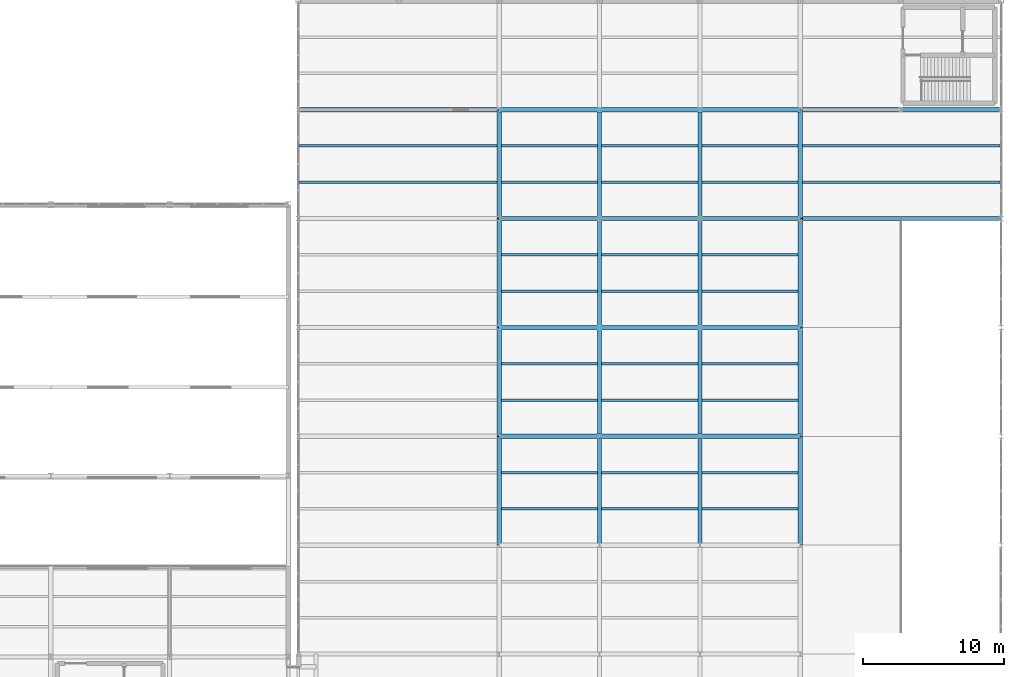
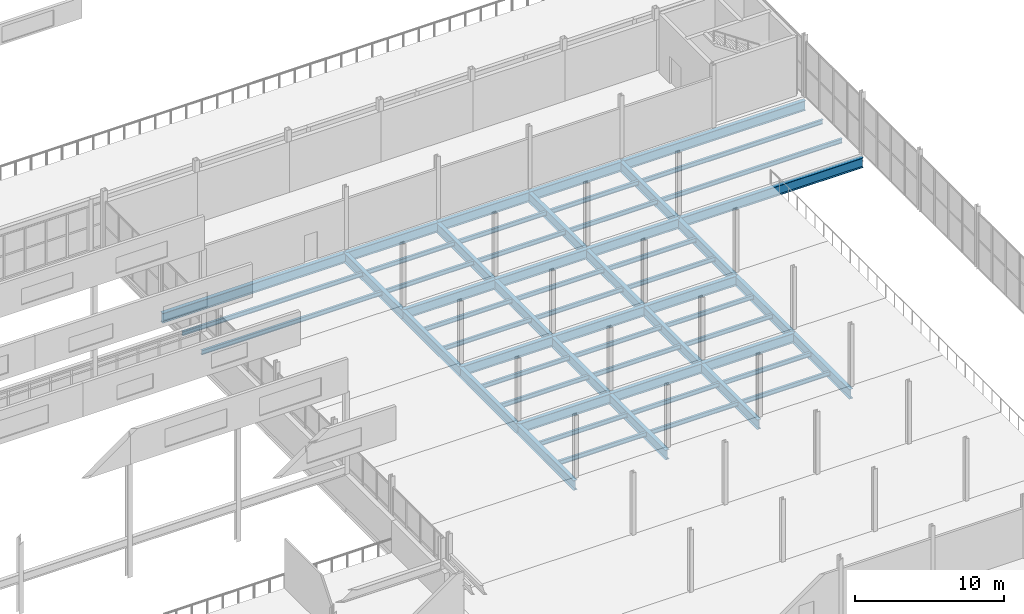
# One storey, part 132 of 218: 59 beams.
"""IFC4 building model written with IfcOpenShell, lengths in metres."""

from ifc_helpers import new_model, si_unit, direction, frame, origin, origin_2d, place, context, subcontext, project, spatial, i_section, extrude, material, material_profile, profile_set, type_object, element, save


model = new_model("IFC4")

# Units and contexts
model_context = context("Model", 3, precision=1e-05, world=origin(), true_north=direction((0.0, 1.0)))
body_context = subcontext(model_context, "Body", "Model", "MODEL_VIEW")
ifc_project = project(units=[si_unit("LENGTHUNIT", "METRE"), si_unit("AREAUNIT", "SQUARE_METRE"), si_unit("VOLUMEUNIT", "CUBIC_METRE"), si_unit("PLANEANGLEUNIT", "RADIAN"), si_unit("MASSUNIT", "GRAM", prefix="KILO")], contexts=[model_context])

# Site, building, storey
site_placement = place(None, origin())
site = spatial("IfcSite", under=ifc_project, at=site_placement, CompositionType="ELEMENT")
building_placement = place(site_placement, origin())
building = spatial("IfcBuilding", under=site, at=building_placement, Name="Kazenagashi Tramway Depot", CompositionType="ELEMENT")
storey_placement = place(building_placement, frame((0.0, 0.0, 6.0)))
storey = spatial("IfcBuildingStorey", under=building, at=storey_placement, Name="L02", CompositionType="ELEMENT", Elevation=6.0)

# Beams
ifc_material_1 = material(Name="Steel SN490B", Category="steel")
ifc_material_profile_1 = material_profile(ifc_material_1, i_section(OverallWidth=0.3, OverallDepth=0.8, WebThickness=0.014, FlangeThickness=0.026, at=origin_2d()), Name="H-800x300x14x26")
ifc_profile_set_1 = profile_set([ifc_material_profile_1], Name="Steel SN490B")
beam_type_1 = type_object("IfcBeamType", Name="G-07", PredefinedType="BEAM", material=ifc_profile_set_1)
for number, where, z_axis, x_axis, name in (
    (1, (160.5, 38.5, -0.68), (1.0, 0.0, 0.0), (0.0, 1.0, 0.0), "Beam G-07 BM-1208"),
    (2, (167.6, 38.5, -0.68), (1.0, 0.0, 0.0), (0.0, 1.0, 0.0), "Beam G-07 BM-1209"),
    (3, (174.7, 38.5, -0.68), (1.0, 0.0, 0.0), (0.0, 1.0, 0.0), "Beam G-07 BM-1210"),
    (4, (160.5, 46.2, -0.68), (1.0, 0.0, 0.0), (0.0, 1.0, 0.0), "Beam G-07 BM-1212"),
    (5, (167.6, 46.2, -0.68), (1.0, 0.0, 0.0), (0.0, 1.0, 0.0), "Beam G-07 BM-1213"),
    (6, (174.7, 46.2, -0.68), (1.0, 0.0, 0.0), (0.0, 1.0, 0.0), "Beam G-07 BM-1214"),
    (7, (160.5, 53.9, -0.68), (1.0, 0.0, 0.0), (0.0, 1.0, 0.0), "Beam G-07 BM-1216"),
    (8, (167.6, 53.9, -0.68), (1.0, 0.0, 0.0), (0.0, 1.0, 0.0), "Beam G-07 BM-1217"),
    (9, (174.7, 53.9, -0.68), (1.0, 0.0, 0.0), (0.0, 1.0, 0.0), "Beam G-07 BM-1218"),
):
    element("IfcBeam", number, at=place(storey_placement, frame(where, z_axis=z_axis, x_axis=x_axis)), inside=storey, type_object=beam_type_1, Name=name, PredefinedType="BEAM", context=body_context, shape_type="SweptSolid", body=[
        extrude(i_section(OverallWidth=0.3, OverallDepth=0.8, WebThickness=0.014, FlangeThickness=0.026, at=origin_2d()), origin(), (0.0, 0.0, 1.0), 7.1),
    ])
for number, where, z_axis, x_axis, name in (
    (10, (181.8, 53.9, -0.68), (1.0, 0.0, 0.0), (0.0, 1.0, 0.0), "Beam G-07 BM-1219"),
    (11, (146.3, 61.6, -0.68), (1.0, 0.0, 0.0), (0.0, 1.0, 0.0), "Beam G-07 BM-1220"),
):
    element("IfcBeam", number, at=place(storey_placement, frame(where, z_axis=z_axis, x_axis=x_axis)), inside=storey, type_object=beam_type_1, Name=name, PredefinedType="BEAM", context=body_context, shape_type="SweptSolid", body=[
        extrude(i_section(OverallWidth=0.3, OverallDepth=0.8, WebThickness=0.014, FlangeThickness=0.026, at=origin_2d()), origin(), (0.0, 0.0, 1.0), 14.2),
    ])
for number, where, z_axis, x_axis, name in (
    (12, (160.5, 61.6, -0.68), (1.0, 0.0, 0.0), (0.0, 1.0, 0.0), "Beam G-07 BM-1221"),
    (13, (167.6, 61.6, -0.68), (1.0, 0.0, 0.0), (0.0, 1.0, 0.0), "Beam G-07 BM-1222"),
    (14, (174.7, 61.6, -0.68), (1.0, 0.0, 0.0), (0.0, 1.0, 0.0), "Beam G-07 BM-1223"),
):
    element("IfcBeam", number, at=place(storey_placement, frame(where, z_axis=z_axis, x_axis=x_axis)), inside=storey, type_object=beam_type_1, Name=name, PredefinedType="BEAM", context=body_context, shape_type="SweptSolid", body=[
        extrude(i_section(OverallWidth=0.3, OverallDepth=0.8, WebThickness=0.014, FlangeThickness=0.026, at=origin_2d()), origin(), (0.0, 0.0, 1.0), 7.1),
    ])
beam_placement = place(storey_placement, frame((181.8, 61.6, -0.68), z_axis=(1.0, 0.0, 0.0), x_axis=(0.0, 1.0, 0.0)))
element("IfcBeam", 15, at=beam_placement, inside=storey, type_object=beam_type_1, Name="Beam G-07 BM-1224", PredefinedType="BEAM", context=body_context, shape_type="SweptSolid", body=[
    extrude(i_section(OverallWidth=0.3, OverallDepth=0.8, WebThickness=0.014, FlangeThickness=0.026, at=origin_2d()), origin(), (0.0, 0.0, 1.0), 14.2),
])
for number, where, z_axis, x_axis, name in (
    (16, (160.5, 30.8, -0.68), (0.0, 1.0, 0.0), (-1.0, 0.0, 0.0), "Beam G-07 BM-1268"),
    (17, (160.5, 38.5, -0.68), (0.0, 1.0, 0.0), (-1.0, 0.0, 0.0), "Beam G-07 BM-1271"),
    (18, (160.5, 46.2, -0.68), (0.0, 1.0, 0.0), (-1.0, 0.0, 0.0), "Beam G-07 BM-1274"),
    (19, (160.5, 53.9, -0.68), (0.0, 1.0, 0.0), (-1.0, 0.0, 0.0), "Beam G-07 BM-1277"),
    (20, (167.6, 30.8, -0.68), (0.0, 1.0, 0.0), (-1.0, 0.0, 0.0), "Beam G-07 BM-1295"),
    (21, (167.6, 38.5, -0.68), (0.0, 1.0, 0.0), (-1.0, 0.0, 0.0), "Beam G-07 BM-1298"),
    (22, (167.6, 46.2, -0.68), (0.0, 1.0, 0.0), (-1.0, 0.0, 0.0), "Beam G-07 BM-1301"),
    (23, (167.6, 53.9, -0.68), (0.0, 1.0, 0.0), (-1.0, 0.0, 0.0), "Beam G-07 BM-1304"),
    (24, (174.7, 30.8, -0.68), (0.0, 1.0, 0.0), (-1.0, 0.0, 0.0), "Beam G-07 BM-1322"),
    (25, (174.7, 38.5, -0.68), (0.0, 1.0, 0.0), (-1.0, 0.0, 0.0), "Beam G-07 BM-1325"),
    (26, (174.7, 46.2, -0.68), (0.0, 1.0, 0.0), (-1.0, 0.0, 0.0), "Beam G-07 BM-1328"),
    (27, (174.7, 53.9, -0.68), (0.0, 1.0, 0.0), (-1.0, 0.0, 0.0), "Beam G-07 BM-1331"),
    (28, (181.8, 30.8, -0.68), (0.0, 1.0, 0.0), (-1.0, 0.0, 0.0), "Beam G-07 BM-1343"),
    (29, (181.8, 38.5, -0.68), (0.0, 1.0, 0.0), (-1.0, 0.0, 0.0), "Beam G-07 BM-1344"),
    (30, (181.8, 46.2, -0.68), (0.0, 1.0, 0.0), (-1.0, 0.0, 0.0), "Beam G-07 BM-1345"),
    (31, (181.8, 53.9, -0.68), (0.0, 1.0, 0.0), (-1.0, 0.0, 0.0), "Beam G-07 BM-1346"),
):
    element("IfcBeam", number, at=place(storey_placement, frame(where, z_axis=z_axis, x_axis=x_axis)), inside=storey, type_object=beam_type_1, Name=name, PredefinedType="BEAM", context=body_context, shape_type="SweptSolid", body=[
        extrude(i_section(OverallWidth=0.3, OverallDepth=0.8, WebThickness=0.014, FlangeThickness=0.026, at=origin_2d()), origin(), (0.0, 0.0, 1.0), 7.7),
    ])
ifc_material_2 = material(Name="Steel SN400B", Category="steel")
ifc_material_profile_2 = material_profile(ifc_material_2, i_section(OverallWidth=0.175, OverallDepth=0.35, WebThickness=0.007, FlangeThickness=0.011, at=origin_2d()), Name="H-350x175x7x11")
ifc_profile_set_2 = profile_set([ifc_material_profile_2], Name="Steel SN400B")
beam_type_2 = type_object("IfcBeamType", Name="J-01", PredefinedType="JOIST", material=ifc_profile_set_2)
for number, where, z_axis, x_axis, name in (
    (32, (146.4, 56.467, -0.455), (1.0, 0.0, 0.0), (0.0, 1.0, 0.0), "Beam J-01 BM-1251"),
    (33, (146.4, 59.033, -0.455), (1.0, 0.0, 0.0), (0.0, 1.0, 0.0), "Beam J-01 BM-1252"),
):
    element("IfcBeam", number, at=place(storey_placement, frame(where, z_axis=z_axis, x_axis=x_axis)), inside=storey, type_object=beam_type_2, Name=name, PredefinedType="JOIST", context=body_context, shape_type="SweptSolid", body=[
        extrude(i_section(OverallWidth=0.175, OverallDepth=0.35, WebThickness=0.007, FlangeThickness=0.011, at=origin_2d()), origin(), (0.0, 0.0, 1.0), 13.95),
    ])
for number, where, z_axis, x_axis, name in (
    (34, (160.65, 33.367, -0.455), (1.0, 0.0, 0.0), (0.0, 1.0, 0.0), "Beam J-01 BM-1269"),
    (35, (160.65, 35.933, -0.455), (1.0, 0.0, 0.0), (0.0, 1.0, 0.0), "Beam J-01 BM-1270"),
    (36, (160.65, 41.067, -0.455), (1.0, 0.0, 0.0), (0.0, 1.0, 0.0), "Beam J-01 BM-1272"),
    (37, (160.65, 43.633, -0.455), (1.0, 0.0, 0.0), (0.0, 1.0, 0.0), "Beam J-01 BM-1273"),
    (38, (160.65, 48.767, -0.455), (1.0, 0.0, 0.0), (0.0, 1.0, 0.0), "Beam J-01 BM-1275"),
    (39, (160.65, 51.333, -0.455), (1.0, 0.0, 0.0), (0.0, 1.0, 0.0), "Beam J-01 BM-1276"),
    (40, (160.65, 56.467, -0.455), (1.0, 0.0, 0.0), (0.0, 1.0, 0.0), "Beam J-01 BM-1278"),
    (41, (160.65, 59.033, -0.455), (1.0, 0.0, 0.0), (0.0, 1.0, 0.0), "Beam J-01 BM-1279"),
    (42, (167.75, 33.367, -0.455), (1.0, 0.0, 0.0), (0.0, 1.0, 0.0), "Beam J-01 BM-1296"),
    (43, (167.75, 35.933, -0.455), (1.0, 0.0, 0.0), (0.0, 1.0, 0.0), "Beam J-01 BM-1297"),
    (44, (167.75, 41.067, -0.455), (1.0, 0.0, 0.0), (0.0, 1.0, 0.0), "Beam J-01 BM-1299"),
    (45, (167.75, 43.633, -0.455), (1.0, 0.0, 0.0), (0.0, 1.0, 0.0), "Beam J-01 BM-1300"),
    (46, (167.75, 48.767, -0.455), (1.0, 0.0, 0.0), (0.0, 1.0, 0.0), "Beam J-01 BM-1302"),
    (47, (167.75, 51.333, -0.455), (1.0, 0.0, 0.0), (0.0, 1.0, 0.0), "Beam J-01 BM-1303"),
    (48, (167.75, 56.467, -0.455), (1.0, 0.0, 0.0), (0.0, 1.0, 0.0), "Beam J-01 BM-1305"),
    (49, (167.75, 59.033, -0.455), (1.0, 0.0, 0.0), (0.0, 1.0, 0.0), "Beam J-01 BM-1306"),
    (50, (174.85, 33.367, -0.455), (1.0, 0.0, 0.0), (0.0, 1.0, 0.0), "Beam J-01 BM-1323"),
    (51, (174.85, 35.933, -0.455), (1.0, 0.0, 0.0), (0.0, 1.0, 0.0), "Beam J-01 BM-1324"),
    (52, (174.85, 41.067, -0.455), (1.0, 0.0, 0.0), (0.0, 1.0, 0.0), "Beam J-01 BM-1326"),
    (53, (174.85, 43.633, -0.455), (1.0, 0.0, 0.0), (0.0, 1.0, 0.0), "Beam J-01 BM-1327"),
    (54, (174.85, 48.767, -0.455), (1.0, 0.0, 0.0), (0.0, 1.0, 0.0), "Beam J-01 BM-1329"),
    (55, (174.85, 51.333, -0.455), (1.0, 0.0, 0.0), (0.0, 1.0, 0.0), "Beam J-01 BM-1330"),
    (56, (174.85, 56.467, -0.455), (1.0, 0.0, 0.0), (0.0, 1.0, 0.0), "Beam J-01 BM-1332"),
    (57, (174.85, 59.033, -0.455), (1.0, 0.0, 0.0), (0.0, 1.0, 0.0), "Beam J-01 BM-1333"),
):
    element("IfcBeam", number, at=place(storey_placement, frame(where, z_axis=z_axis, x_axis=x_axis)), inside=storey, type_object=beam_type_2, Name=name, PredefinedType="JOIST", context=body_context, shape_type="SweptSolid", body=[
        extrude(i_section(OverallWidth=0.175, OverallDepth=0.35, WebThickness=0.007, FlangeThickness=0.011, at=origin_2d()), origin(), (0.0, 0.0, 1.0), 6.8),
    ])
for number, where, z_axis, x_axis, name in (
    (58, (181.95, 56.467, -0.455), (1.0, 0.0, 0.0), (0.0, 1.0, 0.0), "Beam J-01 BM-1347"),
    (59, (181.95, 59.033, -0.455), (1.0, 0.0, 0.0), (0.0, 1.0, 0.0), "Beam J-01 BM-1348"),
):
    element("IfcBeam", number, at=place(storey_placement, frame(where, z_axis=z_axis, x_axis=x_axis)), inside=storey, type_object=beam_type_2, Name=name, PredefinedType="JOIST", context=body_context, shape_type="SweptSolid", body=[
        extrude(i_section(OverallWidth=0.175, OverallDepth=0.35, WebThickness=0.007, FlangeThickness=0.011, at=origin_2d()), origin(), (0.0, 0.0, 1.0), 13.95),
    ])

save(model, "model.ifc")
